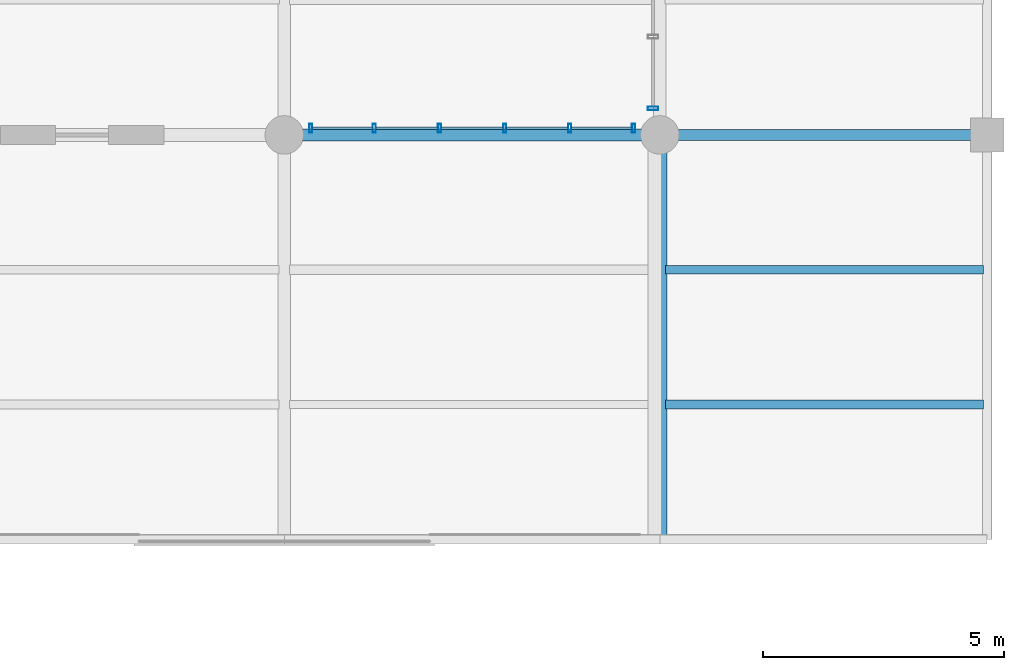
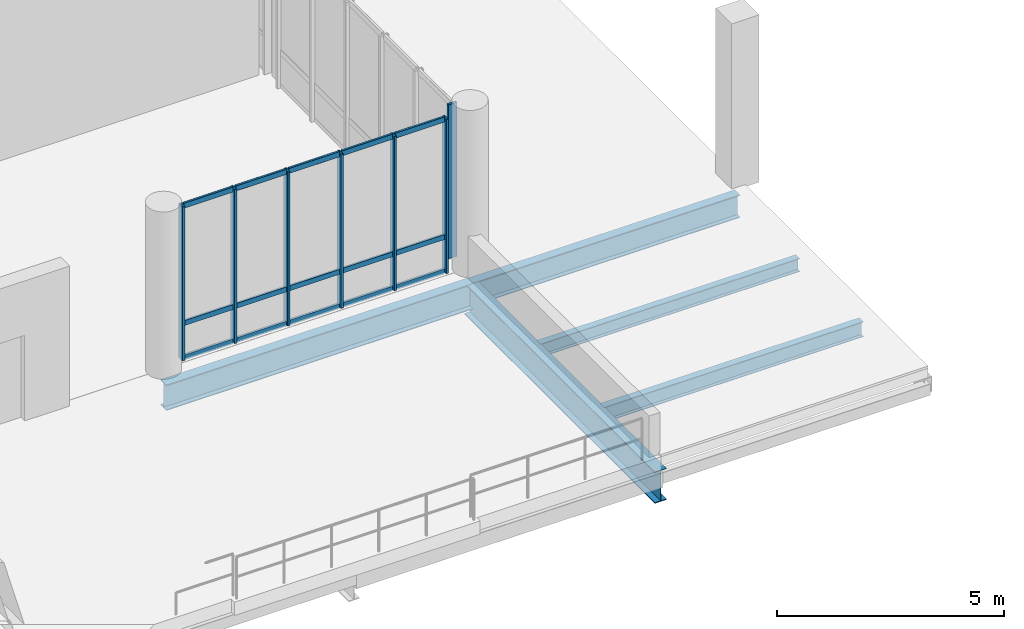
# One storey, part 39 of 68: 22 members, 5 beams, 2 elements without a shape of their own.
"""IFC4 building model written with IfcOpenShell, lengths in metres."""

from ifc_helpers import new_model, si_unit, direction, frame, origin_with_axes, origin_2d_with_axis, place, context, subcontext, project, spatial, hollow_rectangle, i_section, extrude, material, material_profile, profile_set, type_object, element, aggregate, save


model = new_model("IFC4")

# Units and contexts
model_context = context("Model", 3, precision=1e-05, world=origin_with_axes(), true_north=direction((0.0, 1.0)))
body_context = subcontext(model_context, "Body", "Model", "MODEL_VIEW")
ifc_project = project(units=[si_unit("LENGTHUNIT", "METRE"), si_unit("AREAUNIT", "SQUARE_METRE"), si_unit("VOLUMEUNIT", "CUBIC_METRE"), si_unit("PLANEANGLEUNIT", "RADIAN"), si_unit("MASSUNIT", "GRAM", prefix="KILO"), si_unit("THERMODYNAMICTEMPERATUREUNIT", "KELVIN")], contexts=[model_context])

# Site, building, storey
site_placement = place(None, origin_with_axes())
site = spatial("IfcSite", under=ifc_project, at=site_placement, CompositionType="ELEMENT")
building_placement = place(site_placement, origin_with_axes())
building = spatial("IfcBuilding", under=site, at=building_placement, Name="Montbau Bow Law Courts", CompositionType="ELEMENT")
storey_placement = place(building_placement, frame((0.0, 0.0, 20.4), z_axis=(0.0, 0.0, 1.0), x_axis=(1.0, 0.0, 0.0)))
storey = spatial("IfcBuildingStorey", under=building, at=storey_placement, Name="L04", CompositionType="ELEMENT", Elevation=20.4)

# Beams
ifc_material_1 = material(Name="Steel CSA G40.21 Grade 350W (350 MPa)", Category="steel")
ifc_material_profile_1 = material_profile(ifc_material_1, i_section(OverallWidth=0.293, OverallDepth=0.846, WebThickness=0.0154, FlangeThickness=0.0244, at=origin_2d_with_axis()), Name="W840X210", Category="Main", Priority=0)
ifc_profile_set_1 = profile_set([ifc_material_profile_1], Name="Steel CSA G40.21 Grade 350W (350 MPa)")
beam_type_1 = type_object("IfcBeamType", Name="B-FLR-02", PredefinedType="BEAM", material=ifc_profile_set_1)
beam_1_placement = place(None, frame((162.6, 69.6, 19.617), z_axis=(0.0, 1.0, 0.0), x_axis=(-1.0, 0.0, 0.0)))
element("IfcBeam", 1, at=beam_1_placement, inside=storey, type_object=beam_type_1, Name="BM-L04-S1277:bm2_1280", PredefinedType="BEAM", context=body_context, shape_type="SweptSolid", body=[
    extrude(i_section(OverallWidth=0.293, OverallDepth=0.846, WebThickness=0.0154, FlangeThickness=0.0244, at=origin_2d_with_axis()), origin_with_axes(), (0.0, 0.0, 1.0), 8.4),
])
ifc_material_profile_2 = material_profile(ifc_material_1, i_section(OverallWidth=0.254, OverallDepth=0.688, WebThickness=0.0131, FlangeThickness=0.0211, at=origin_2d_with_axis()), Name="W690X152", Category="Main", Priority=0)
ifc_profile_set_2 = profile_set([ifc_material_profile_2], Name="Steel CSA G40.21 Grade 350W (350 MPa)")
beam_type_2 = type_object("IfcBeamType", Name="B-FLR-04", PredefinedType="BEAM", material=ifc_profile_set_2)
beam_2_placement = place(None, frame((154.8, 78.0, 19.696), z_axis=(1.0, 0.0, 0.0), x_axis=(0.0, 1.0, 0.0)))
element("IfcBeam", 2, at=beam_2_placement, inside=storey, type_object=beam_type_2, Name="BM-L04-S1251:bm2_1254", PredefinedType="BEAM", context=body_context, shape_type="SweptSolid", body=[
    extrude(i_section(OverallWidth=0.254, OverallDepth=0.688, WebThickness=0.0131, FlangeThickness=0.0211, at=origin_2d_with_axis()), origin_with_axes(), (0.0, 0.0, 1.0), 7.8),
])
ifc_material_profile_3 = material_profile(ifc_material_1, i_section(OverallWidth=0.229, OverallDepth=0.612, WebThickness=0.0119, FlangeThickness=0.0196, at=origin_2d_with_axis()), Name="W610X125", Category="Main", Priority=0)
ifc_profile_set_3 = profile_set([ifc_material_profile_3], Name="Steel CSA G40.21 Grade 350W (350 MPa)")
beam_type_3 = type_object("IfcBeamType", Name="B-FLR-05", PredefinedType="BEAM", material=ifc_profile_set_3)
beam_3_placement = place(None, frame((162.6, 78.0, 19.734), z_axis=(1.0, 0.0, 0.0), x_axis=(0.0, 1.0, 0.0)))
element("IfcBeam", 3, at=beam_3_placement, inside=storey, type_object=beam_type_3, Name="BM-L04-S1252:bm2_1255", PredefinedType="BEAM", context=body_context, shape_type="SweptSolid", body=[
    extrude(i_section(OverallWidth=0.229, OverallDepth=0.612, WebThickness=0.0119, FlangeThickness=0.0196, at=origin_2d_with_axis()), origin_with_axes(), (0.0, 0.0, 1.0), 6.8),
])
ifc_material_profile_4 = material_profile(ifc_material_1, i_section(OverallWidth=0.179, OverallDepth=0.41, WebThickness=0.0088, FlangeThickness=0.0144, at=origin_2d_with_axis()), Name="W410X67", Category="Main", Priority=0)
ifc_profile_set_4 = profile_set([ifc_material_profile_4], Name="Steel CSA G40.21 Grade 350W (350 MPa)")
beam_type_4 = type_object("IfcBeamType", Name="B-JST-02", PredefinedType="JOIST", material=ifc_profile_set_4)
beam_4_placement = place(None, frame((162.722, 72.4, 19.835), z_axis=(1.0, 0.0, 0.0), x_axis=(0.0, 1.0, 0.0)))
element("IfcBeam", 4, at=beam_4_placement, inside=storey, type_object=beam_type_4, Name="JST-L04-S0685:jst2_0685", PredefinedType="JOIST", context=body_context, shape_type="SweptSolid", body=[
    extrude(i_section(OverallWidth=0.179, OverallDepth=0.41, WebThickness=0.0088, FlangeThickness=0.0144, at=origin_2d_with_axis()), origin_with_axes(), (0.0, 0.0, 1.0), 6.598),
])
ifc_material_profile_5 = material_profile(ifc_material_1, i_section(OverallWidth=0.172, OverallDepth=0.358, WebThickness=0.0079, FlangeThickness=0.0131, at=origin_2d_with_axis()), Name="W360X57", Category="Main", Priority=0)
ifc_profile_set_5 = profile_set([ifc_material_profile_5], Name="Steel CSA G40.21 Grade 350W (350 MPa)")
beam_type_5 = type_object("IfcBeamType", Name="B-JST-03", PredefinedType="JOIST", material=ifc_profile_set_5)
beam_5_placement = place(None, frame((162.722, 75.2, 19.861), z_axis=(1.0, 0.0, 0.0), x_axis=(0.0, 1.0, 0.0)))
element("IfcBeam", 5, at=beam_5_placement, inside=storey, type_object=beam_type_5, Name="JST-L04-S0686:jst2_0686", PredefinedType="JOIST", context=body_context, shape_type="SweptSolid", body=[
    extrude(i_section(OverallWidth=0.172, OverallDepth=0.358, WebThickness=0.0079, FlangeThickness=0.0131, at=origin_2d_with_axis()), origin_with_axes(), (0.0, 0.0, 1.0), 6.598),
])

# Curtain wall, member
ifc_material_2 = material(Name="Thermally Broken Extruded Aluminium AA 6063-T6", Category="aluminium")
curtain_wall_type = type_object("IfcCurtainWallType", Name="CW-NCK-01", PredefinedType="NOTDEFINED", material=ifc_material_2)
curtain_wall_1_placement = place(None, frame((162.46, 78.515, 20.4), z_axis=(0.0, 0.0, 1.0), x_axis=(1.0, 0.0, 0.0)))
curtain_wall_1 = element("IfcCurtainWall", 6, at=curtain_wall_1_placement, inside=storey, type_object=curtain_wall_type, Name="CW-L04-330:cw_0330", PredefinedType="NOTDEFINED")
ifc_material_profile_6 = material_profile(ifc_material_2, hollow_rectangle(XDim=0.075, YDim=0.22, WallThickness=0.005, InnerFilletRadius=0.01, OuterFilletRadius=0.005, at=origin_2d_with_axis()), Name="CWM-220X75", Category="Main", Priority=0)
ifc_profile_set_6 = profile_set([ifc_material_profile_6], Name="Thermally Broken Extruded Aluminium AA 6063-T6")
member_type_1 = type_object("IfcMemberType", Name="M-MUL-01", PredefinedType="MULLION", material=ifc_profile_set_6)
member_1_placement = place(None, frame((162.46, 78.552, 20.4), z_axis=(0.0, 0.0, 1.0), x_axis=(0.0, 1.0, 0.0)))
member_1 = element("IfcMember", 7, at=member_1_placement, type_object=member_type_1, Name="CW-L04-330-M01:cw_0330_M01", PredefinedType="MULLION", context=body_context, shape_type="SweptSolid", body=[
    extrude(hollow_rectangle(XDim=0.075, YDim=0.22, WallThickness=0.005, InnerFilletRadius=0.01, OuterFilletRadius=0.005, at=origin_2d_with_axis()), origin_with_axes(), (0.0, 0.0, 1.0), 4.14),
])
aggregate(curtain_wall_1, [member_1])

# Curtain wall, members
curtain_wall_2_placement = place(None, frame((155.315, 78.14, 20.4), z_axis=(0.0, 0.0, 1.0), x_axis=(1.0, 0.0, 0.0)))
curtain_wall_2 = element("IfcCurtainWall", 8, at=curtain_wall_2_placement, inside=storey, type_object=curtain_wall_type, Name="CW-L04-325:cw_0325", PredefinedType="NOTDEFINED")
ifc_material_profile_7 = material_profile(ifc_material_2, hollow_rectangle(XDim=0.065, YDim=0.18, WallThickness=0.005, InnerFilletRadius=0.01, OuterFilletRadius=0.005, at=origin_2d_with_axis()), Name="CWM-180X65", Category="Main", Priority=0)
ifc_profile_set_7 = profile_set([ifc_material_profile_7], Name="Thermally Broken Extruded Aluminium AA 6063-T6")
member_type_2 = type_object("IfcMemberType", Name="M-MUL-02", PredefinedType="MULLION", material=ifc_profile_set_7)
member_2_placement = place(None, frame((155.348, 78.14, 20.4), z_axis=(0.0, 0.0, 1.0), x_axis=(1.0, 0.0, 0.0)))
member_2 = element("IfcMember", 9, at=member_2_placement, type_object=member_type_2, Name="CW-L04-325-M01:cw_0325_M01", PredefinedType="MULLION", context=body_context, shape_type="SweptSolid", body=[
    extrude(hollow_rectangle(XDim=0.065, YDim=0.18, WallThickness=0.005, InnerFilletRadius=0.01, OuterFilletRadius=0.005, at=origin_2d_with_axis()), origin_with_axes(), (0.0, 0.0, 1.0), 4.14),
])
member_3_placement = place(None, frame((156.669, 78.14, 20.4), z_axis=(0.0, 0.0, 1.0), x_axis=(1.0, 0.0, 0.0)))
member_3 = element("IfcMember", 10, at=member_3_placement, type_object=member_type_2, Name="CW-L04-325-M02:cw_0325_M02", PredefinedType="MULLION", context=body_context, shape_type="SweptSolid", body=[
    extrude(hollow_rectangle(XDim=0.065, YDim=0.18, WallThickness=0.005, InnerFilletRadius=0.01, OuterFilletRadius=0.005, at=origin_2d_with_axis()), origin_with_axes(), (0.0, 0.0, 1.0), 4.14),
])
member_4_placement = place(None, frame((158.023, 78.14, 20.4), z_axis=(0.0, 0.0, 1.0), x_axis=(1.0, 0.0, 0.0)))
member_4 = element("IfcMember", 11, at=member_4_placement, type_object=member_type_2, Name="CW-L04-325-M03:cw_0325_M03", PredefinedType="MULLION", context=body_context, shape_type="SweptSolid", body=[
    extrude(hollow_rectangle(XDim=0.065, YDim=0.18, WallThickness=0.005, InnerFilletRadius=0.01, OuterFilletRadius=0.005, at=origin_2d_with_axis()), origin_with_axes(), (0.0, 0.0, 1.0), 4.14),
])
member_5_placement = place(None, frame((159.377, 78.14, 20.4), z_axis=(0.0, 0.0, 1.0), x_axis=(1.0, 0.0, 0.0)))
member_5 = element("IfcMember", 12, at=member_5_placement, type_object=member_type_2, Name="CW-L04-325-M04:cw_0325_M04", PredefinedType="MULLION", context=body_context, shape_type="SweptSolid", body=[
    extrude(hollow_rectangle(XDim=0.065, YDim=0.18, WallThickness=0.005, InnerFilletRadius=0.01, OuterFilletRadius=0.005, at=origin_2d_with_axis()), origin_with_axes(), (0.0, 0.0, 1.0), 4.14),
])
member_6_placement = place(None, frame((160.731, 78.14, 20.4), z_axis=(0.0, 0.0, 1.0), x_axis=(1.0, 0.0, 0.0)))
member_6 = element("IfcMember", 13, at=member_6_placement, type_object=member_type_2, Name="CW-L04-325-M05:cw_0325_M05", PredefinedType="MULLION", context=body_context, shape_type="SweptSolid", body=[
    extrude(hollow_rectangle(XDim=0.065, YDim=0.18, WallThickness=0.005, InnerFilletRadius=0.01, OuterFilletRadius=0.005, at=origin_2d_with_axis()), origin_with_axes(), (0.0, 0.0, 1.0), 4.14),
])
member_7_placement = place(None, frame((162.053, 78.14, 20.4), z_axis=(0.0, 0.0, 1.0), x_axis=(1.0, 0.0, 0.0)))
member_7 = element("IfcMember", 14, at=member_7_placement, type_object=member_type_2, Name="CW-L04-325-M06:cw_0325_M06", PredefinedType="MULLION", context=body_context, shape_type="SweptSolid", body=[
    extrude(hollow_rectangle(XDim=0.065, YDim=0.18, WallThickness=0.005, InnerFilletRadius=0.01, OuterFilletRadius=0.005, at=origin_2d_with_axis()), origin_with_axes(), (0.0, 0.0, 1.0), 4.14),
])
ifc_material_profile_8 = material_profile(ifc_material_2, hollow_rectangle(XDim=0.055, YDim=0.14, WallThickness=0.004, InnerFilletRadius=0.008, OuterFilletRadius=0.004, at=origin_2d_with_axis()), Name="CWT-140X55", Category="Main", Priority=0)
ifc_profile_set_8 = profile_set([ifc_material_profile_8], Name="Thermally Broken Extruded Aluminium AA 6063-T6")
member_type_3 = type_object("IfcMemberType", Name="M-TRN-02", PredefinedType="USERDEFINED", material=ifc_profile_set_8)
member_8_placement = place(None, frame((155.383, 78.14, 20.427), z_axis=(1.0, 0.0, 0.0), x_axis=(0.0, 1.0, 0.0)))
member_8 = element("IfcMember", 15, at=member_8_placement, type_object=member_type_3, Name="CW-L04-325-T01-1:cw_0325_T01_1", ObjectType="TRANSOM", PredefinedType="USERDEFINED", context=body_context, shape_type="SweptSolid", body=[
    extrude(hollow_rectangle(XDim=0.055, YDim=0.14, WallThickness=0.004, InnerFilletRadius=0.008, OuterFilletRadius=0.004, at=origin_2d_with_axis()), origin_with_axes(), (0.0, 0.0, 1.0), 1.252),
])
member_9_placement = place(None, frame((155.383, 78.14, 21.35), z_axis=(1.0, 0.0, 0.0), x_axis=(0.0, 1.0, 0.0)))
member_9 = element("IfcMember", 16, at=member_9_placement, type_object=member_type_3, Name="CW-L04-325-T01-2:cw_0325_T01_2", ObjectType="TRANSOM", PredefinedType="USERDEFINED", context=body_context, shape_type="SweptSolid", body=[
    extrude(hollow_rectangle(XDim=0.055, YDim=0.14, WallThickness=0.004, InnerFilletRadius=0.008, OuterFilletRadius=0.004, at=origin_2d_with_axis()), origin_with_axes(), (0.0, 0.0, 1.0), 1.252),
])
member_10_placement = place(None, frame((155.383, 78.14, 24.512), z_axis=(1.0, 0.0, 0.0), x_axis=(0.0, 1.0, 0.0)))
member_10 = element("IfcMember", 17, at=member_10_placement, type_object=member_type_3, Name="CW-L04-325-T01-3:cw_0325_T01_3", ObjectType="TRANSOM", PredefinedType="USERDEFINED", context=body_context, shape_type="SweptSolid", body=[
    extrude(hollow_rectangle(XDim=0.055, YDim=0.14, WallThickness=0.004, InnerFilletRadius=0.008, OuterFilletRadius=0.004, at=origin_2d_with_axis()), origin_with_axes(), (0.0, 0.0, 1.0), 1.252),
])
member_11_placement = place(None, frame((156.704, 78.14, 20.427), z_axis=(1.0, 0.0, 0.0), x_axis=(0.0, 1.0, 0.0)))
member_11 = element("IfcMember", 18, at=member_11_placement, type_object=member_type_3, Name="CW-L04-325-T02-1:cw_0325_T02_1", ObjectType="TRANSOM", PredefinedType="USERDEFINED", context=body_context, shape_type="SweptSolid", body=[
    extrude(hollow_rectangle(XDim=0.055, YDim=0.14, WallThickness=0.004, InnerFilletRadius=0.008, OuterFilletRadius=0.004, at=origin_2d_with_axis()), origin_with_axes(), (0.0, 0.0, 1.0), 1.285),
])
member_12_placement = place(None, frame((156.704, 78.14, 21.35), z_axis=(1.0, 0.0, 0.0), x_axis=(0.0, 1.0, 0.0)))
member_12 = element("IfcMember", 19, at=member_12_placement, type_object=member_type_3, Name="CW-L04-325-T02-2:cw_0325_T02_2", ObjectType="TRANSOM", PredefinedType="USERDEFINED", context=body_context, shape_type="SweptSolid", body=[
    extrude(hollow_rectangle(XDim=0.055, YDim=0.14, WallThickness=0.004, InnerFilletRadius=0.008, OuterFilletRadius=0.004, at=origin_2d_with_axis()), origin_with_axes(), (0.0, 0.0, 1.0), 1.285),
])
member_13_placement = place(None, frame((156.704, 78.14, 24.512), z_axis=(1.0, 0.0, 0.0), x_axis=(0.0, 1.0, 0.0)))
member_13 = element("IfcMember", 20, at=member_13_placement, type_object=member_type_3, Name="CW-L04-325-T02-3:cw_0325_T02_3", ObjectType="TRANSOM", PredefinedType="USERDEFINED", context=body_context, shape_type="SweptSolid", body=[
    extrude(hollow_rectangle(XDim=0.055, YDim=0.14, WallThickness=0.004, InnerFilletRadius=0.008, OuterFilletRadius=0.004, at=origin_2d_with_axis()), origin_with_axes(), (0.0, 0.0, 1.0), 1.285),
])
member_14_placement = place(None, frame((158.058, 78.14, 20.427), z_axis=(1.0, 0.0, 0.0), x_axis=(0.0, 1.0, 0.0)))
member_14 = element("IfcMember", 21, at=member_14_placement, type_object=member_type_3, Name="CW-L04-325-T03-1:cw_0325_T03_1", ObjectType="TRANSOM", PredefinedType="USERDEFINED", context=body_context, shape_type="SweptSolid", body=[
    extrude(hollow_rectangle(XDim=0.055, YDim=0.14, WallThickness=0.004, InnerFilletRadius=0.008, OuterFilletRadius=0.004, at=origin_2d_with_axis()), origin_with_axes(), (0.0, 0.0, 1.0), 1.285),
])
member_15_placement = place(None, frame((158.058, 78.14, 21.35), z_axis=(1.0, 0.0, 0.0), x_axis=(0.0, 1.0, 0.0)))
member_15 = element("IfcMember", 22, at=member_15_placement, type_object=member_type_3, Name="CW-L04-325-T03-2:cw_0325_T03_2", ObjectType="TRANSOM", PredefinedType="USERDEFINED", context=body_context, shape_type="SweptSolid", body=[
    extrude(hollow_rectangle(XDim=0.055, YDim=0.14, WallThickness=0.004, InnerFilletRadius=0.008, OuterFilletRadius=0.004, at=origin_2d_with_axis()), origin_with_axes(), (0.0, 0.0, 1.0), 1.285),
])
member_16_placement = place(None, frame((158.058, 78.14, 24.512), z_axis=(1.0, 0.0, 0.0), x_axis=(0.0, 1.0, 0.0)))
member_16 = element("IfcMember", 23, at=member_16_placement, type_object=member_type_3, Name="CW-L04-325-T03-3:cw_0325_T03_3", ObjectType="TRANSOM", PredefinedType="USERDEFINED", context=body_context, shape_type="SweptSolid", body=[
    extrude(hollow_rectangle(XDim=0.055, YDim=0.14, WallThickness=0.004, InnerFilletRadius=0.008, OuterFilletRadius=0.004, at=origin_2d_with_axis()), origin_with_axes(), (0.0, 0.0, 1.0), 1.285),
])
member_17_placement = place(None, frame((159.411, 78.14, 20.427), z_axis=(1.0, 0.0, 0.0), x_axis=(0.0, 1.0, 0.0)))
member_17 = element("IfcMember", 24, at=member_17_placement, type_object=member_type_3, Name="CW-L04-325-T04-1:cw_0325_T04_1", ObjectType="TRANSOM", PredefinedType="USERDEFINED", context=body_context, shape_type="SweptSolid", body=[
    extrude(hollow_rectangle(XDim=0.055, YDim=0.14, WallThickness=0.004, InnerFilletRadius=0.008, OuterFilletRadius=0.004, at=origin_2d_with_axis()), origin_with_axes(), (0.0, 0.0, 1.0), 1.286),
])
member_18_placement = place(None, frame((159.411, 78.14, 21.35), z_axis=(1.0, 0.0, 0.0), x_axis=(0.0, 1.0, 0.0)))
member_18 = element("IfcMember", 25, at=member_18_placement, type_object=member_type_3, Name="CW-L04-325-T04-2:cw_0325_T04_2", ObjectType="TRANSOM", PredefinedType="USERDEFINED", context=body_context, shape_type="SweptSolid", body=[
    extrude(hollow_rectangle(XDim=0.055, YDim=0.14, WallThickness=0.004, InnerFilletRadius=0.008, OuterFilletRadius=0.004, at=origin_2d_with_axis()), origin_with_axes(), (0.0, 0.0, 1.0), 1.286),
])
member_19_placement = place(None, frame((159.411, 78.14, 24.512), z_axis=(1.0, 0.0, 0.0), x_axis=(0.0, 1.0, 0.0)))
member_19 = element("IfcMember", 26, at=member_19_placement, type_object=member_type_3, Name="CW-L04-325-T04-3:cw_0325_T04_3", ObjectType="TRANSOM", PredefinedType="USERDEFINED", context=body_context, shape_type="SweptSolid", body=[
    extrude(hollow_rectangle(XDim=0.055, YDim=0.14, WallThickness=0.004, InnerFilletRadius=0.008, OuterFilletRadius=0.004, at=origin_2d_with_axis()), origin_with_axes(), (0.0, 0.0, 1.0), 1.286),
])
member_20_placement = place(None, frame((160.765, 78.14, 20.427), z_axis=(1.0, 0.0, 0.0), x_axis=(0.0, 1.0, 0.0)))
member_20 = element("IfcMember", 27, at=member_20_placement, type_object=member_type_3, Name="CW-L04-325-T05-1:cw_0325_T05_1", ObjectType="TRANSOM", PredefinedType="USERDEFINED", context=body_context, shape_type="SweptSolid", body=[
    extrude(hollow_rectangle(XDim=0.055, YDim=0.14, WallThickness=0.004, InnerFilletRadius=0.008, OuterFilletRadius=0.004, at=origin_2d_with_axis()), origin_with_axes(), (0.0, 0.0, 1.0), 1.254),
])
member_21_placement = place(None, frame((160.765, 78.14, 21.35), z_axis=(1.0, 0.0, 0.0), x_axis=(0.0, 1.0, 0.0)))
member_21 = element("IfcMember", 28, at=member_21_placement, type_object=member_type_3, Name="CW-L04-325-T05-2:cw_0325_T05_2", ObjectType="TRANSOM", PredefinedType="USERDEFINED", context=body_context, shape_type="SweptSolid", body=[
    extrude(hollow_rectangle(XDim=0.055, YDim=0.14, WallThickness=0.004, InnerFilletRadius=0.008, OuterFilletRadius=0.004, at=origin_2d_with_axis()), origin_with_axes(), (0.0, 0.0, 1.0), 1.254),
])
member_22_placement = place(None, frame((160.765, 78.14, 24.512), z_axis=(1.0, 0.0, 0.0), x_axis=(0.0, 1.0, 0.0)))
member_22 = element("IfcMember", 29, at=member_22_placement, type_object=member_type_3, Name="CW-L04-325-T05-3:cw_0325_T05_3", ObjectType="TRANSOM", PredefinedType="USERDEFINED", context=body_context, shape_type="SweptSolid", body=[
    extrude(hollow_rectangle(XDim=0.055, YDim=0.14, WallThickness=0.004, InnerFilletRadius=0.008, OuterFilletRadius=0.004, at=origin_2d_with_axis()), origin_with_axes(), (0.0, 0.0, 1.0), 1.254),
])
aggregate(curtain_wall_2, [member_2, member_3, member_4, member_5, member_6, member_7, member_8, member_9, member_10, member_11, member_12, member_13, member_14, member_15, member_16, member_17, member_18, member_19, member_20, member_21, member_22])

save(model, "model.ifc")
